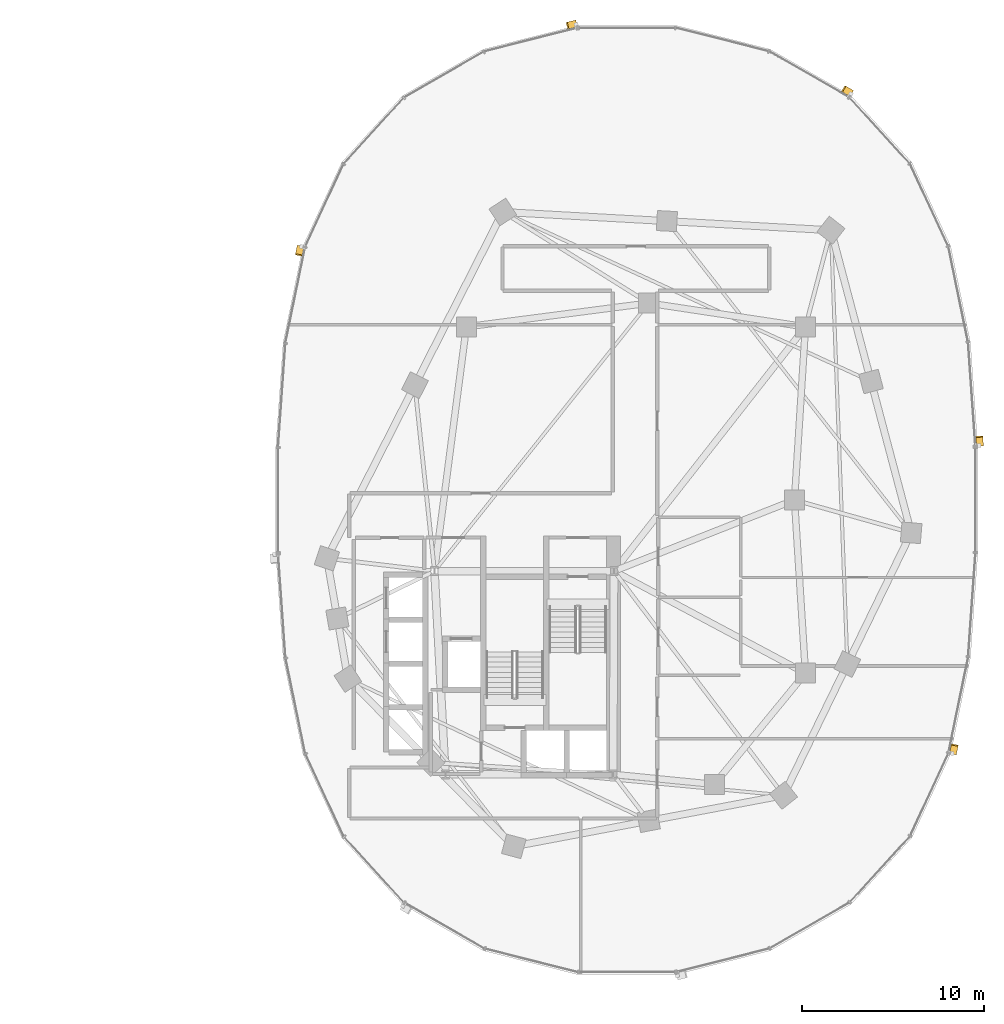
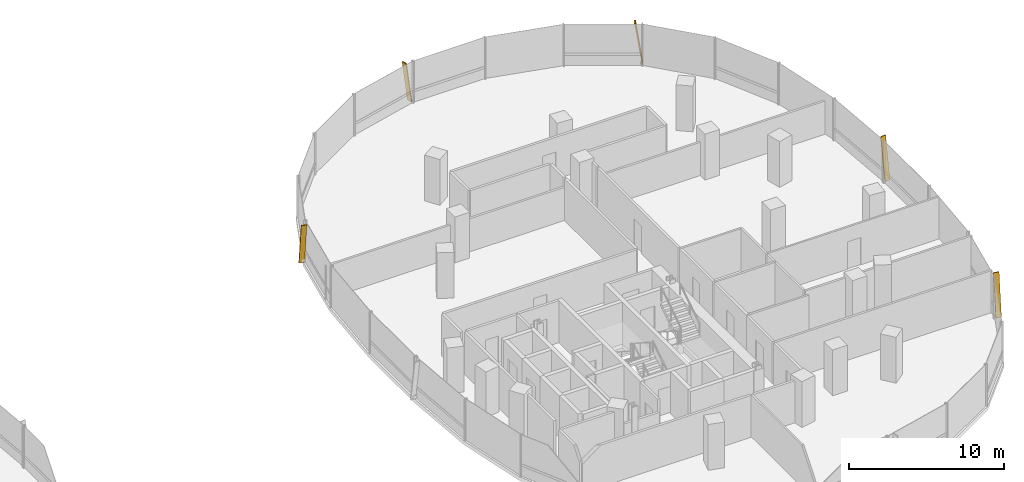
# One storey, part 21 of 21: 5 shading devices.
"""IFC4 building model written with IfcOpenShell, lengths in metres."""

from ifc_helpers import new_model, si_unit, direction, frame, origin, origin_2d, place, context, subcontext, project, spatial, rectangle, extrude, material, material_profile, profile_set, type_object, element, save


model = new_model("IFC4")

# Units and contexts
model_context = context("Model", 3, precision=1e-05, world=origin(), true_north=direction((0.0, 1.0)))
body_context = subcontext(model_context, "Body", "Model", "MODEL_VIEW")
ifc_project = project(units=[si_unit("LENGTHUNIT", "METRE"), si_unit("AREAUNIT", "SQUARE_METRE"), si_unit("VOLUMEUNIT", "CUBIC_METRE"), si_unit("PLANEANGLEUNIT", "RADIAN"), si_unit("MASSUNIT", "GRAM", prefix="KILO"), si_unit("THERMODYNAMICTEMPERATUREUNIT", "KELVIN"), si_unit("POWERUNIT", "WATT")], contexts=[model_context])

# Site, building, storey
site_placement = place(None, origin())
site = spatial("IfcSite", under=ifc_project, at=site_placement, CompositionType="ELEMENT")
building_placement = place(site_placement, origin())
building = spatial("IfcBuilding", under=site, at=building_placement, Name="Cundina Bronze Exchange", CompositionType="ELEMENT")
storey_placement = place(building_placement, frame((0.0, 0.0, 99.800048828125)))
storey = spatial("IfcBuildingStorey", under=building, at=storey_placement, Name="L25", CompositionType="ELEMENT", Elevation=99.800048828125)

# Shading devices
ifc_material = material(Name="Anodised Bronze Aluminium 6063-T6", Category="aluminium")
ifc_material_profile = material_profile(ifc_material, rectangle(XDim=0.070068359375, YDim=0.3798828125, at=origin_2d()), Name="FIN70X380", Category="aluminium")
ifc_profile_set = profile_set([ifc_material_profile], Name="Anodised Bronze Aluminium 6063-T6")
shading_device_type = type_object("IfcShadingDeviceType", Name="SHD-FIN-BRZ380", PredefinedType="USERDEFINED", material=ifc_profile_set)
for number, where, z_axis, x_axis, name in (
    (1, (51.3740234375, 2.993896484375, 0.02001953125), (-0.010224545828, 0.145292278041, 0.989335945271), (0.069450050635, -0.986895284755, 0.145651595925), "L25 Diagonal Bronze Solar Fin 1"),
    (2, (44.314208984375, 22.314208984375, 0.02001953125), (-0.126324692219, 0.072534823274, 0.989333498649), (0.857958278167, -0.492634108109, 0.145668213594), "L25 Diagonal Bronze Solar Fin 5"),
    (3, (29.212646484375, 26.138427734375, 0.02001953125), (-0.141217047268, -0.035711761166, 0.989334329575), (0.95914051701, 0.242552848478, 0.145662570088), "L25 Diagonal Bronze Solar Fin 1"),
    (4, (14.10400390625, 13.911865234375, 0.02001953125), (-0.029413888538, -0.142698109128, 0.989329102378), (0.199728220342, 0.968958570224, 0.145698068578), "L25 Diagonal Bronze Solar Fin 5"),
    (5, (49.89599609375, -13.911865234375, 0.02001953125), (0.029413888538, 0.142698109128, 0.989329102378), (-0.199728220342, -0.968958570224, 0.145698068578), "L25 Diagonal Bronze Solar Fin 5"),
):
    element("IfcShadingDevice", number, at=place(storey_placement, frame(where, z_axis=z_axis, x_axis=x_axis)), inside=storey, type_object=shading_device_type, Name=name, ObjectType="FIN", PredefinedType="USERDEFINED", context=body_context, shape_type="SweptSolid", body=[
        extrude(rectangle(XDim=0.070068359375, YDim=0.3798828125, at=origin_2d()), origin(), (0.0, 0.0, 1.0), 3.295166015625),
    ])

save(model, "model.ifc")
